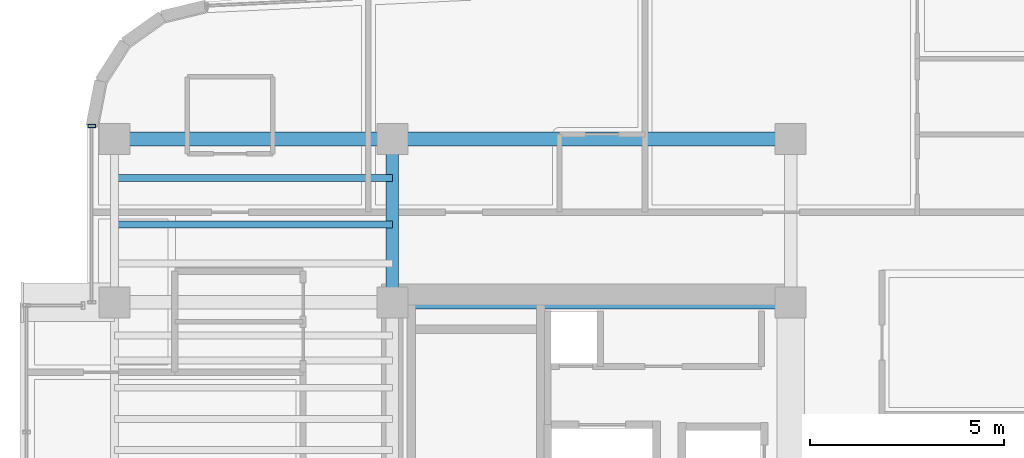
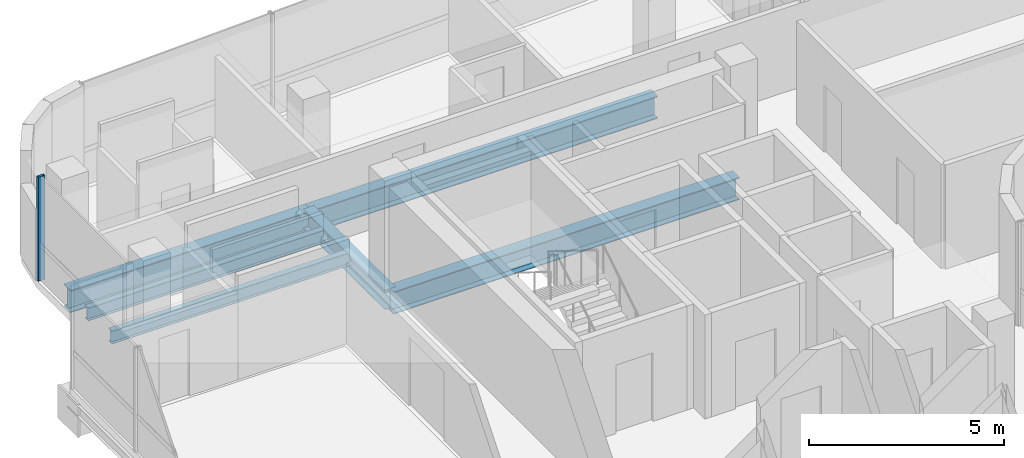
# One storey, part 7 of 18: 6 beams, 1 member, 1 element without a shape of its own.
"""IFC4 building model written with IfcOpenShell, lengths in metres."""

from ifc_helpers import new_model, si_unit, direction, frame, origin, origin_2d, place, context, subcontext, project, spatial, hollow_rectangle, i_section, extrude, source, transform, mapped, material, material_profile, profile_set, type_object, element, aggregate, save


model = new_model("IFC4")

# Units and contexts
model_context = context("Model", 3, precision=1e-05, world=origin(), true_north=direction((0.0, 1.0)))
body_context = subcontext(model_context, "Body", "Model", "MODEL_VIEW")
ifc_project = project(units=[si_unit("LENGTHUNIT", "METRE"), si_unit("AREAUNIT", "SQUARE_METRE"), si_unit("VOLUMEUNIT", "CUBIC_METRE"), si_unit("PLANEANGLEUNIT", "RADIAN"), si_unit("MASSUNIT", "GRAM", prefix="KILO")], contexts=[model_context])

# Site, building, storey
site_placement = place(None, origin())
site = spatial("IfcSite", under=ifc_project, at=site_placement, CompositionType="ELEMENT")
building_placement = place(site_placement, origin())
building = spatial("IfcBuilding", under=site, at=building_placement, Name="Valdorenza Pilgrim Sanctuary Tower", CompositionType="ELEMENT")
storey_placement = place(building_placement, frame((0.0, 0.0, 247.5)))
storey = spatial("IfcBuildingStorey", under=building, at=storey_placement, Name="L64", CompositionType="ELEMENT", Elevation=247.5)

# Beams
ifc_material_1 = material(Name="Steel ASTM A992 Grade 50", Category="steel")
ifc_material_profile_1 = material_profile(ifc_material_1, i_section(OverallWidth=0.323974609375, OverallDepth=0.611083984375, WebThickness=0.0126953125, FlangeThickness=0.01904296875, at=origin_2d()), Name="W24X104")
ifc_profile_set_1 = profile_set([ifc_material_profile_1], Name="Steel ASTM A992 Grade 50")
beam_type_1 = type_object("IfcBeamType", Name="STR-BM-GRD-W24B", PredefinedType="BEAM", material=ifc_profile_set_1)
shared_shape_1 = source(origin(), body_context, "Body", "SweptSolid", [
    extrude(i_section(OverallWidth=0.323974609375, OverallDepth=0.611083984375, WebThickness=0.0126953125, FlangeThickness=0.01904296875, at=origin_2d()), origin(), (0.0, 0.0, 1.0), 4.199951171875),
])
beam_1_placement = place(storey_placement, frame((-22.64990234375, 10.60009765625, -0.54541015625), z_axis=(0.0, 1.0, 0.0), x_axis=(-1.0, 0.0, 0.0)))
element("IfcBeam", 1, at=beam_1_placement, inside=storey, type_object=beam_type_1, Name="L64 Core Tie Girder CA-W-N1N2", PredefinedType="BEAM", context=body_context, shape_type="MappedRepresentation", body=[
    mapped(shared_shape_1, transform((0.0, 0.0, 0.0), x_axis=(1.0, 0.0, 0.0), y_axis=(0.0, 1.0, 0.0), z_axis=(0.0, 0.0, 1.0), scale=1.0)),
])
ifc_material_profile_2 = material_profile(ifc_material_1, i_section(OverallWidth=0.35595703125, OverallDepth=0.700927734375, WebThickness=0.016845703125, FlangeThickness=0.02734375, at=origin_2d()), Name="W27X161")
ifc_profile_set_2 = profile_set([ifc_material_profile_2], Name="Steel ASTM A992 Grade 50")
beam_type_2 = type_object("IfcBeamType", Name="STR-BM-GRD-W27", PredefinedType="BEAM", material=ifc_profile_set_2)
shared_shape_2 = source(origin(), body_context, "Body", "SweptSolid", [
    extrude(i_section(OverallWidth=0.35595703125, OverallDepth=0.700927734375, WebThickness=0.016845703125, FlangeThickness=0.02734375, at=origin_2d()), origin(), (0.0, 0.0, 1.0), 7.150146484375),
])
beam_2_placement = place(storey_placement, frame((-29.800048828125, 14.800048828125, -0.590576171875), z_axis=(1.0, 0.0, 0.0), x_axis=(0.0, 1.0, 0.0)))
element("IfcBeam", 2, at=beam_2_placement, inside=storey, type_object=beam_type_2, Name="L64 Floor Girder WA-XW-N2", PredefinedType="BEAM", context=body_context, shape_type="MappedRepresentation", body=[
    mapped(shared_shape_2, transform((0.0, 0.0, 0.0), x_axis=(1.0, 0.0, 0.0), y_axis=(0.0, 1.0, 0.0), z_axis=(0.0, 0.0, 1.0), scale=1.0)),
])
shared_shape_3 = source(origin(), body_context, "Body", "SweptSolid", [
    extrude(i_section(OverallWidth=0.35595703125, OverallDepth=0.700927734375, WebThickness=0.016845703125, FlangeThickness=0.02734375, at=origin_2d()), origin(), (0.0, 0.0, 1.0), 10.25),
])
for number, where, z_axis, x_axis, name in (
    (3, (-22.64990234375, 10.60009765625, -0.590576171875), (1.0, 0.0, 0.0), (0.0, 1.0, 0.0), "L64 Floor Girder CA-XC-N1"),
    (4, (-22.64990234375, 14.800048828125, -0.590576171875), (1.0, 0.0, 0.0), (0.0, 1.0, 0.0), "L64 Floor Girder CA-XC-N2"),
):
    element("IfcBeam", number, at=place(storey_placement, frame(where, z_axis=z_axis, x_axis=x_axis)), inside=storey, type_object=beam_type_2, Name=name, PredefinedType="BEAM", context=body_context, shape_type="MappedRepresentation", body=[
        mapped(shared_shape_3, transform((0.0, 0.0, 0.0), x_axis=(1.0, 0.0, 0.0), y_axis=(0.0, 1.0, 0.0), z_axis=(0.0, 0.0, 1.0), scale=1.0)),
    ])
ifc_material_profile_3 = material_profile(ifc_material_1, i_section(OverallWidth=0.177978515625, OverallDepth=0.406005859375, WebThickness=0.0078125, FlangeThickness=0.0126953125, at=origin_2d()), Name="W16X40")
ifc_profile_set_3 = profile_set([ifc_material_profile_3], Name="Steel ASTM A992 Grade 50")
beam_type_3 = type_object("IfcBeamType", Name="STR-BM-JST-W16", PredefinedType="JOIST", material=ifc_profile_set_3)
shared_shape_4 = source(origin(), body_context, "Body", "SweptSolid", [
    extrude(i_section(OverallWidth=0.177978515625, OverallDepth=0.406005859375, WebThickness=0.0078125, FlangeThickness=0.0126953125, at=origin_2d()), origin(), (0.0, 0.0, 1.0), 7.150146484375),
])
for number, where, z_axis, x_axis, name in (
    (5, (-29.800048828125, 12.60009765625, -0.443115234375), (1.0, 0.0, 0.0), (0.0, 1.0, 0.0), "L64 Composite Floor Joist JST-WA-25"),
    (6, (-29.800048828125, 13.800048828125, -0.443115234375), (1.0, 0.0, 0.0), (0.0, 1.0, 0.0), "L64 Composite Floor Joist JST-WA-26"),
):
    element("IfcBeam", number, at=place(storey_placement, frame(where, z_axis=z_axis, x_axis=x_axis)), inside=storey, type_object=beam_type_3, Name=name, PredefinedType="JOIST", context=body_context, shape_type="MappedRepresentation", body=[
        mapped(shared_shape_4, transform((0.0, 0.0, 0.0), x_axis=(1.0, 0.0, 0.0), y_axis=(0.0, 1.0, 0.0), z_axis=(0.0, 0.0, 1.0), scale=1.0)),
    ])

# Curtain wall, member
ifc_material_2 = material(Name="Curtain-wall IGU glazing", Category="glass")
curtain_wall_type = type_object("IfcCurtainWallType", Name="CW-SYS-02", PredefinedType="NOTDEFINED", material=ifc_material_2)
curtain_wall_placement = place(storey_placement, origin())
curtain_wall = element("IfcCurtainWall", 7, at=curtain_wall_placement, inside=storey, type_object=curtain_wall_type, Name="L64 Curtain Wall CW-L64-1-1S2", PredefinedType="NOTDEFINED")
ifc_material_3 = material(Name="Anodised aluminium AW-6060", Category="aluminium")
ifc_material_profile_4 = material_profile(ifc_material_3, hollow_rectangle(XDim=0.0849609375, YDim=0.199951171875, WallThickness=0.0048828125, at=origin_2d()), Name="ALU-M 200x85x5")
ifc_profile_set_4 = profile_set([ifc_material_profile_4], Name="Anodised aluminium AW-6060")
member_type = type_object("IfcMemberType", Name="CW-MUL-02", PredefinedType="MULLION", material=ifc_profile_set_4)
shared_shape_5 = source(origin(), body_context, "Body", "SweptSolid", [
    extrude(hollow_rectangle(XDim=0.0849609375, YDim=0.199951171875, WallThickness=0.0048828125, at=origin_2d()), origin(), (0.0, 0.0, 1.0), 3.260009765625),
])
member_placement = place(storey_placement, frame((-30.389892578125, 15.13671875, 0.0), z_axis=(0.0, 0.0, 1.0), x_axis=(0.0, 1.0, 0.0)))
member = element("IfcMember", 8, at=member_placement, type_object=member_type, Name="CW-L64-1-1S2 Mullion 2", PredefinedType="MULLION", context=body_context, shape_type="MappedRepresentation", body=[
    mapped(shared_shape_5, transform((0.0, 0.0, 0.0), x_axis=(1.0, 0.0, 0.0), y_axis=(0.0, 1.0, 0.0), z_axis=(0.0, 0.0, 1.0), scale=1.0)),
])
aggregate(curtain_wall, [member])

save(model, "model.ifc")
